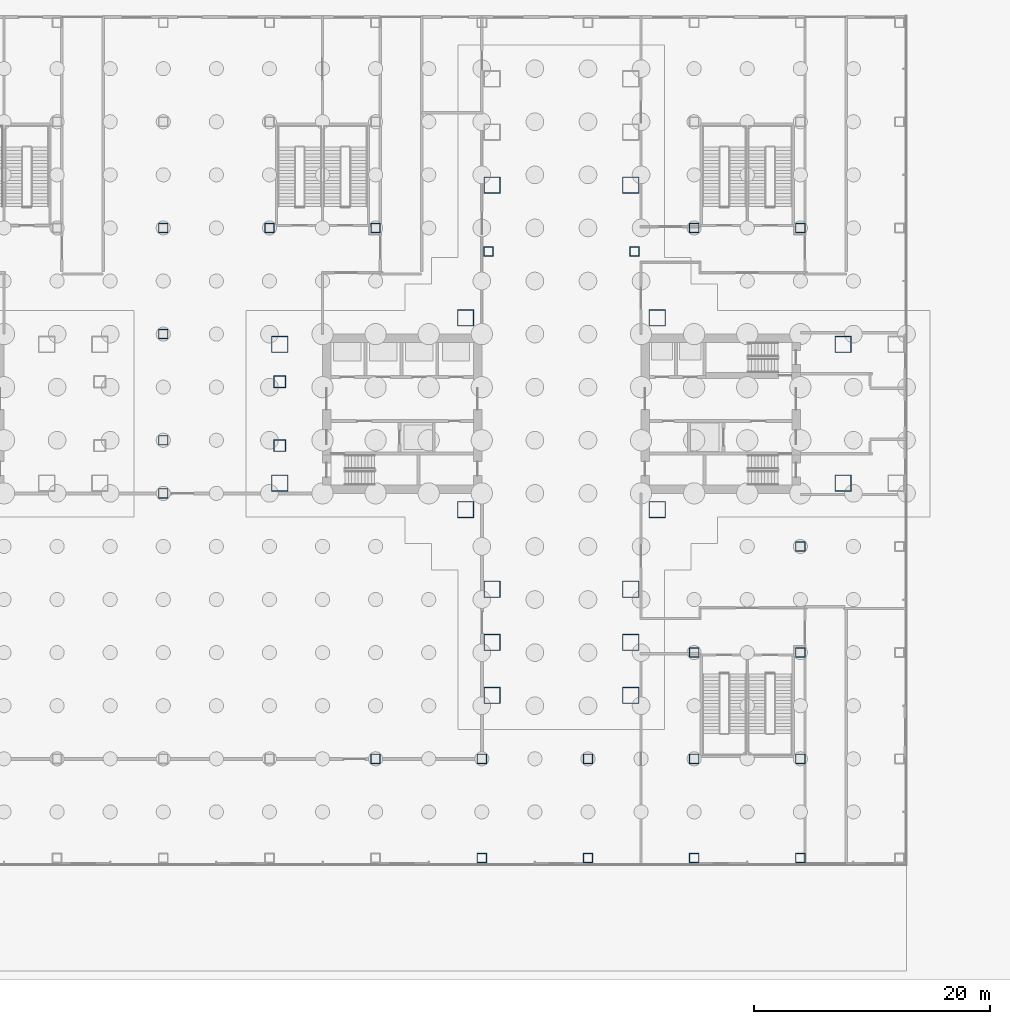
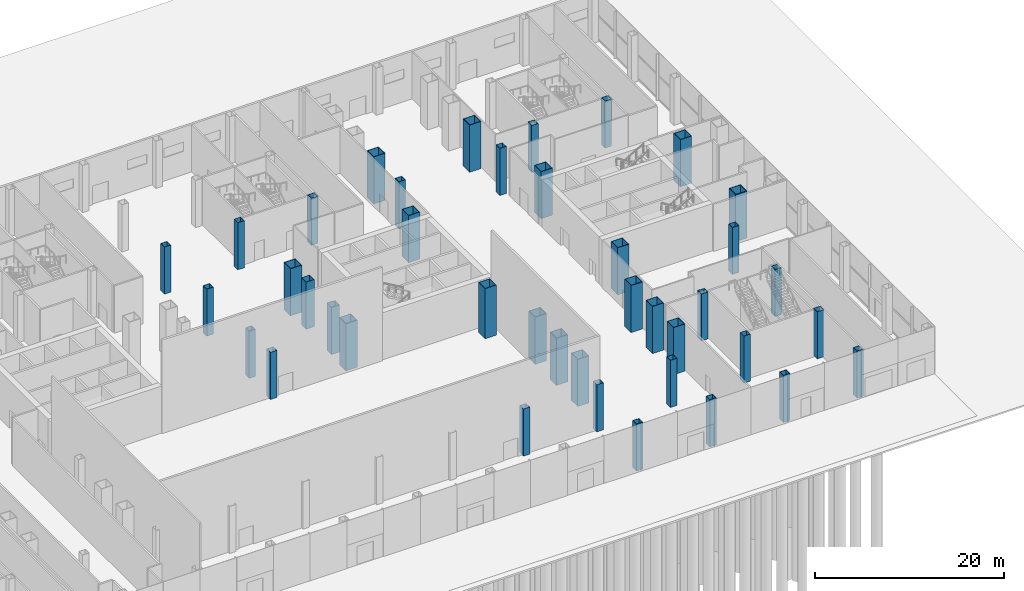
# One storey, part 4 of 37: 40 columns.
"""IFC4 building model written with IfcOpenShell, lengths in metres."""

from ifc_helpers import new_model, si_unit, direction, frame, origin, origin_2d, place, context, subcontext, project, spatial, hollow_rectangle, extrude, material, material_profile, profile_set, type_object, element, save


model = new_model("IFC4")

# Units and contexts
model_context = context("Model", 3, precision=1e-05, world=origin(), true_north=direction((0.0, 1.0)))
body_context = subcontext(model_context, "Body", "Model", "MODEL_VIEW")
ifc_project = project(units=[si_unit("LENGTHUNIT", "METRE"), si_unit("AREAUNIT", "SQUARE_METRE"), si_unit("VOLUMEUNIT", "CUBIC_METRE"), si_unit("PLANEANGLEUNIT", "RADIAN"), si_unit("MASSUNIT", "GRAM", prefix="KILO")], contexts=[model_context])

# Site, building, storey
site_placement = place(None, origin())
site = spatial("IfcSite", under=ifc_project, at=site_placement, CompositionType="ELEMENT")
building_placement = place(site_placement, origin())
building = spatial("IfcBuilding", under=site, at=building_placement, Name="Shamsa Quay Exchange Towers", CompositionType="ELEMENT")
storey_placement = place(building_placement, origin())
storey = spatial("IfcBuildingStorey", under=building, at=storey_placement, Name="L00", CompositionType="ELEMENT", Elevation=0.0)

# Columns
ifc_material_1 = material(Name="Concrete-filled steel tube S355 / C80/95", Category="concrete")
ifc_material_profile_1 = material_profile(ifc_material_1, hollow_rectangle(XDim=1.39990234375, YDim=1.39990234375, WallThickness=0.06005859375, at=origin_2d()), Name="CFT 1400x1400x60")
ifc_profile_set_1 = profile_set([ifc_material_profile_1], Name="Concrete-filled steel tube S355 / C80/95")
column_type_1 = type_object("IfcColumnType", Name="Column CFT 1400x1400x60", PredefinedType="COLUMN", material=ifc_profile_set_1)
for number, where, name in (
    (1, (25.625, 8.125, 0.0), "Mega column T2-CM01"),
    (2, (41.875, 8.125, 0.0), "Mega column T2-CM02"),
):
    element("IfcColumn", number, at=place(storey_placement, frame(where)), inside=storey, type_object=column_type_1, Name=name, PredefinedType="COLUMN", context=body_context, shape_type="SweptSolid", body=[
        extrude(hollow_rectangle(XDim=1.39990234375, YDim=1.39990234375, WallThickness=0.06005859375, at=origin_2d()), origin(), (0.0, 0.0, 1.0), 6.10009765625),
    ])
column_1_placement = place(storey_placement, frame((25.625, -8.125, 0.0)))
element("IfcColumn", 3, at=column_1_placement, inside=storey, type_object=column_type_1, Name="Mega column T2-CM03", PredefinedType="COLUMN", context=body_context, shape_type="SweptSolid", body=[
    extrude(hollow_rectangle(XDim=1.39990234375, YDim=1.39990234375, WallThickness=0.06005859375, at=origin_2d()), origin(), (0.0, 0.0, 1.0), 6.5),
])
for number, where, name in (
    (4, (41.875, -8.125, 0.0), "Mega column T2-CM04"),
    (5, (39.625, 19.375, 0.0), "Mega column T2-CM06"),
    (6, (27.875, 19.375, 0.0), "Mega column T2-CM10"),
    (7, (39.625, -14.875, 0.0), "Mega column T2-CM13"),
    (8, (39.625, -19.375, 0.0), "Mega column T2-CM14"),
    (9, (39.625, -23.875, 0.0), "Mega column T2-CM15"),
    (10, (27.875, -14.875, 0.0), "Mega column T2-CM16"),
    (11, (27.875, -19.375, 0.0), "Mega column T2-CM17"),
    (12, (27.875, -23.875, 0.0), "Mega column T2-CM18"),
    (13, (9.875, -5.875, 0.0), "Mega column T2-CM19"),
    (14, (9.875, 5.875, 0.0), "Mega column T2-CM20"),
    (15, (57.625, -5.875, 0.0), "Mega column T2-CM21"),
    (16, (57.625, 5.875, 0.0), "Mega column T2-CM23"),
):
    element("IfcColumn", number, at=place(storey_placement, frame(where)), inside=storey, type_object=column_type_1, Name=name, PredefinedType="COLUMN", context=body_context, shape_type="SweptSolid", body=[
        extrude(hollow_rectangle(XDim=1.39990234375, YDim=1.39990234375, WallThickness=0.06005859375, at=origin_2d()), origin(), (0.0, 0.0, 1.0), 6.10009765625),
    ])
ifc_material_2 = material(Name="Concrete-filled steel tube S355 / C60/75", Category="concrete")
ifc_material_profile_2 = material_profile(ifc_material_2, hollow_rectangle(XDim=0.800048828125, YDim=0.800048828125, WallThickness=0.030029296875, at=origin_2d()), Name="CFT 800x800x30")
ifc_profile_set_2 = profile_set([ifc_material_profile_2], Name="Concrete-filled steel tube S355 / C60/75")
column_type_2 = type_object("IfcColumnType", Name="Column CFT 800x800x30", PredefinedType="COLUMN", material=ifc_profile_set_2)
for number, where, name in (
    (17, (39.9375, 13.75, 0.0), "Perimeter column T2-CP05"),
    (18, (27.5625, 13.75, 0.0), "Perimeter column T2-CP09"),
    (19, (0.0, -2.25, 0.0), "Perimeter column PD-C+0000-0022"),
    (20, (0.0, 6.75, 0.0), "Perimeter column PD-C+0000+0068"),
    (21, (0.0, 15.75, 0.0), "Perimeter column PD-C+0000+0158"),
    (22, (9.0, 15.75, 0.0), "Perimeter column PD-C+0090+0158"),
    (23, (18.0, -29.25, 0.0), "Perimeter column PD-C+0180-0292"),
    (24, (18.0, 15.75, 0.0), "Perimeter column PD-C+0180+0158"),
    (25, (27.0, -37.64990234375, 0.0), "Perimeter column PD-C+0270-0382"),
    (26, (27.0, -29.25, 0.0), "Perimeter column PD-C+0270-0292"),
    (27, (36.0, -37.64990234375, 0.0), "Perimeter column PD-C+0360-0382"),
    (28, (36.0, -29.25, 0.0), "Perimeter column PD-C+0360-0292"),
    (29, (45.0, -37.64990234375, 0.0), "Perimeter column PD-C+0450-0382"),
    (30, (45.0, -29.25, 0.0), "Perimeter column PD-C+0450-0292"),
    (31, (45.0, -20.25, 0.0), "Perimeter column PD-C+0450-0202"),
    (32, (45.0, 15.75, 0.0), "Perimeter column PD-C+0450+0158"),
    (33, (54.0, -37.64990234375, 0.0), "Perimeter column PD-C+0540-0382"),
    (34, (54.0, -29.25, 0.0), "Perimeter column PD-C+0540-0292"),
    (35, (54.0, -20.25, 0.0), "Perimeter column PD-C+0540-0202"),
    (36, (54.0, -11.25, 0.0), "Perimeter column PD-C+0540-0112"),
    (37, (54.0, 15.75, 0.0), "Perimeter column PD-C+0540+0158"),
):
    element("IfcColumn", number, at=place(storey_placement, frame(where)), inside=storey, type_object=column_type_2, Name=name, PredefinedType="COLUMN", context=body_context, shape_type="SweptSolid", body=[
        extrude(hollow_rectangle(XDim=0.800048828125, YDim=0.800048828125, WallThickness=0.030029296875, at=origin_2d()), origin(), (0.0, 0.0, 1.0), 6.10009765625),
    ])
ifc_material_profile_3 = material_profile(ifc_material_2, hollow_rectangle(XDim=0.800048828125, YDim=0.800048828125, WallThickness=0.030029296875, at=origin_2d()), Name="CFT 800x800x30")
ifc_profile_set_3 = profile_set([ifc_material_profile_3], Name="Concrete-filled steel tube S355 / C60/75")
column_type_3 = type_object("IfcColumnType", Name="Hall support column CFT 800x800x30", PredefinedType="COLUMN", material=ifc_profile_set_3)
column_2_placement = place(storey_placement, frame((0.0, -6.75, 0.0)))
element("IfcColumn", 38, at=column_2_placement, inside=storey, type_object=column_type_3, Name="Hall support column", PredefinedType="COLUMN", context=body_context, shape_type="SweptSolid", body=[
    extrude(hollow_rectangle(XDim=0.800048828125, YDim=0.800048828125, WallThickness=0.030029296875, at=origin_2d()), origin(), (0.0, 0.0, 1.0), 6.10009765625),
])
ifc_material_3 = material(Name="Concrete-filled steel tube S355 / C70/85", Category="concrete")
ifc_material_profile_4 = material_profile(ifc_material_3, hollow_rectangle(XDim=1.0, YDim=1.0, WallThickness=0.0400390625, at=origin_2d()), Name="CFT 1000x1000x40")
ifc_profile_set_4 = profile_set([ifc_material_profile_4], Name="Concrete-filled steel tube S355 / C70/85")
column_type_4 = type_object("IfcColumnType", Name="Landing column CFT 1000x1000x40", PredefinedType="COLUMN", material=ifc_profile_set_4)
for number, where, name in (
    (39, (9.875, -2.699951171875, 0.0), "Landing column T2 S"),
    (40, (9.875, 2.699951171875, 0.0), "Landing column T2 N"),
):
    element("IfcColumn", number, at=place(storey_placement, frame(where)), inside=storey, type_object=column_type_4, Name=name, PredefinedType="COLUMN", context=body_context, shape_type="SweptSolid", body=[
        extrude(hollow_rectangle(XDim=1.0, YDim=1.0, WallThickness=0.0400390625, at=origin_2d()), origin(), (0.0, 0.0, 1.0), 6.10009765625),
    ])

save(model, "model.ifc")
